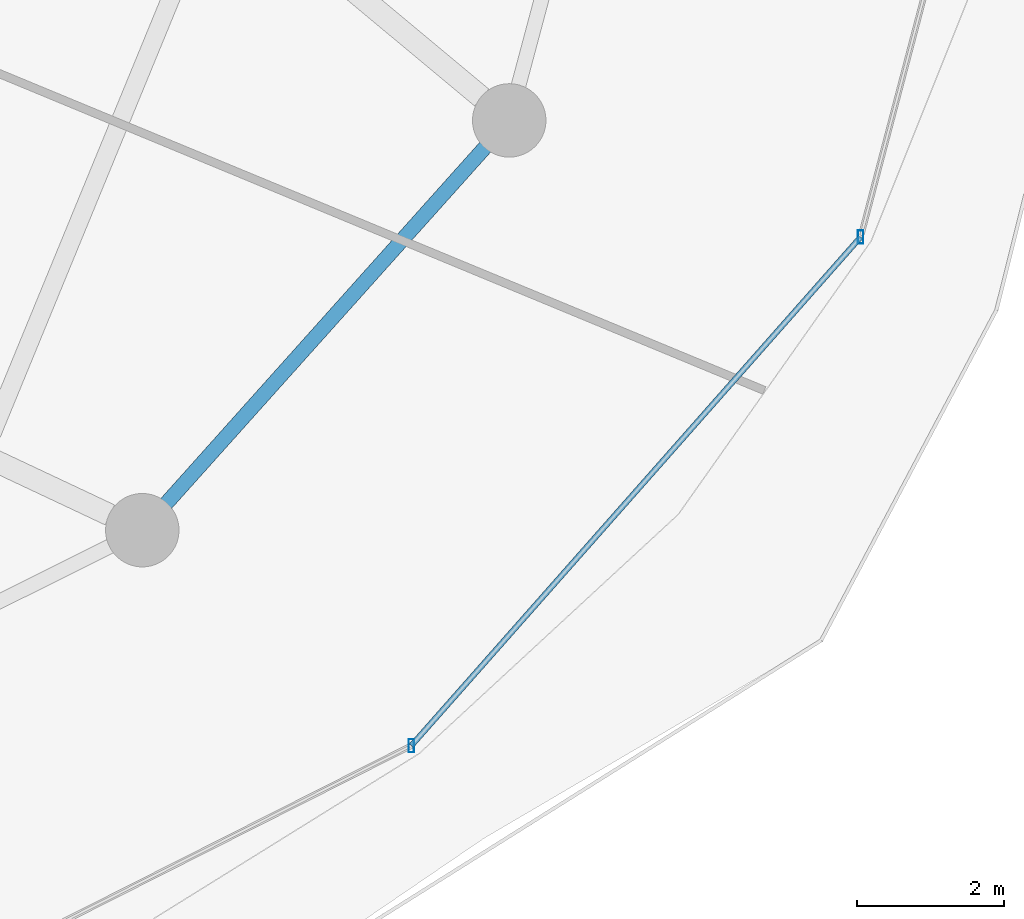
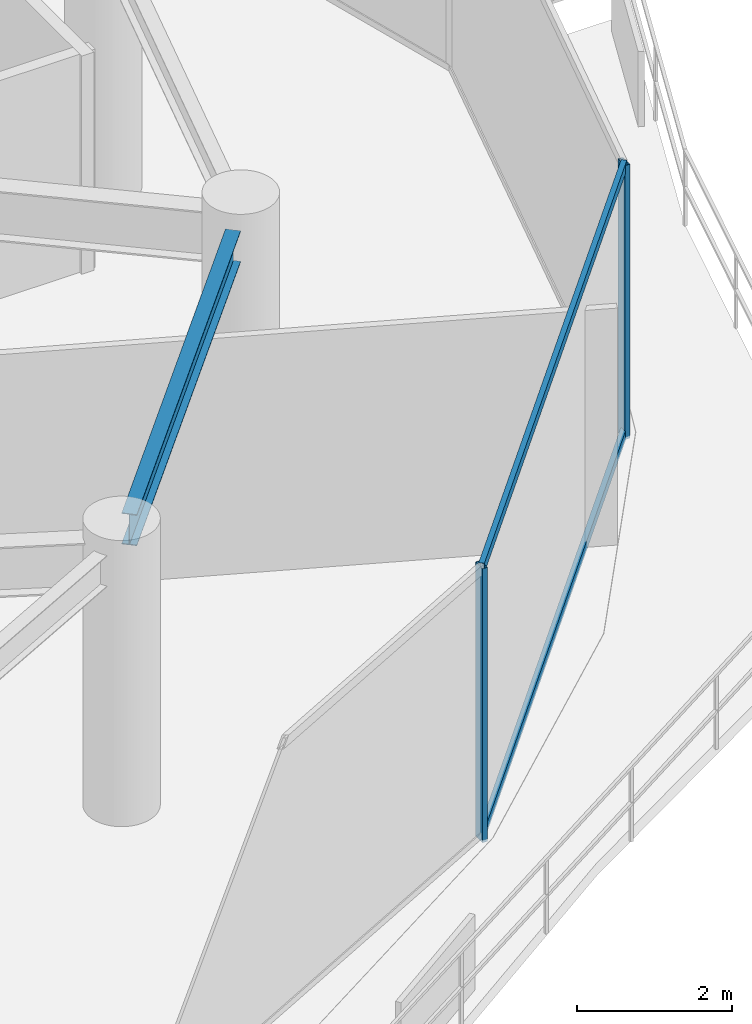
# One storey, part 13 of 31: 4 members, 1 beam, 1 element without a shape of its own.
"""IFC4 building model written with IfcOpenShell, lengths in metres."""

from ifc_helpers import new_model, si_unit, direction, frame, origin, origin_2d, place, context, subcontext, project, spatial, hollow_rectangle, i_section, extrude, material, material_profile, profile_set, type_object, element, aggregate, save


model = new_model("IFC4")

# Units and contexts
model_context = context("Model", 3, precision=1e-05, world=origin(), true_north=direction((0.0, 1.0)))
body_context = subcontext(model_context, "Body", "Model", "MODEL_VIEW")
ifc_project = project(units=[si_unit("LENGTHUNIT", "METRE"), si_unit("AREAUNIT", "SQUARE_METRE"), si_unit("VOLUMEUNIT", "CUBIC_METRE"), si_unit("PLANEANGLEUNIT", "RADIAN"), si_unit("MASSUNIT", "GRAM", prefix="KILO")], contexts=[model_context])

# Site, building, storey
site_placement = place(None, origin())
site = spatial("IfcSite", under=ifc_project, at=site_placement, CompositionType="ELEMENT")
building_placement = place(site_placement, origin())
building = spatial("IfcBuilding", under=site, at=building_placement, Name="Vorneva Point Tower", CompositionType="ELEMENT")
storey_placement = place(building_placement, frame((0.0, 0.0, 174.60009765625)))
storey = spatial("IfcBuildingStorey", under=building, at=storey_placement, Name="L47", CompositionType="ELEMENT", Elevation=174.60009765625)

# Beam
ifc_material_1 = material(Name="Steel S355", Category="steel")
ifc_material_profile_1 = material_profile(ifc_material_1, i_section(OverallWidth=0.199951171875, OverallDepth=0.491943359375, WebThickness=0.0087890625, FlangeThickness=0.011962890625, at=origin_2d()), Name="50B1")
ifc_profile_set_1 = profile_set([ifc_material_profile_1], Name="Steel S355")
beam_type = type_object("IfcBeamType", Name="BM-SPN-50B1", PredefinedType="SPANDREL", material=ifc_profile_set_1)
beam_placement = place(storey_placement, frame((54.622314453125, 14.19921875, 3.993896484375), z_axis=(0.667111118975, 0.74495822362, 0.0), x_axis=(-0.74495822362, 0.667111118975, 0.0)))
element("IfcBeam", 1, at=beam_placement, inside=storey, type_object=beam_type, Name="L47 Perimeter Spandrel Ring Beam 15", PredefinedType="SPANDREL", context=body_context, shape_type="SweptSolid", body=[
    extrude(i_section(OverallWidth=0.199951171875, OverallDepth=0.491943359375, WebThickness=0.0087890625, FlangeThickness=0.011962890625, at=origin_2d()), origin(), (0.0, 0.0, 1.0), 6.52001953125),
])

# Curtain wall, members
ifc_material_2 = material(Name="Pale anodised aluminium", Category="aluminium")
curtain_wall_type = type_object("IfcCurtainWallType", Name="CW-SKY-SYS", PredefinedType="NOTDEFINED", material=ifc_material_2)
curtain_wall_placement = place(storey_placement, origin())
curtain_wall = element("IfcCurtainWall", 2, at=curtain_wall_placement, inside=storey, type_object=curtain_wall_type, Name="L47 Unitised Curtain Wall CW-L47-R01", PredefinedType="NOTDEFINED")
ifc_material_profile_2 = material_profile(ifc_material_2, hollow_rectangle(XDim=0.074951171875, YDim=0.179931640625, WallThickness=0.00390625, at=origin_2d()), Name="AL-MUL 180x75x4")
ifc_profile_set_2 = profile_set([ifc_material_profile_2], Name="Pale anodised aluminium")
member_type_1 = type_object("IfcMemberType", Name="CW-MUL-180", PredefinedType="MULLION", material=ifc_profile_set_2)
member_1_placement = place(storey_placement, frame((57.961669921875, 10.9033203125, -0.0400390625), z_axis=(0.0, 0.0, 1.0), x_axis=(1.0, 0.0, 0.0)))
member_1 = element("IfcMember", 3, at=member_1_placement, type_object=member_type_1, Name="CW-L47-R01 Mullion 02", PredefinedType="MULLION", context=body_context, shape_type="SweptSolid", body=[
    extrude(hollow_rectangle(XDim=0.074951171875, YDim=0.179931640625, WallThickness=0.00390625, at=origin_2d()), origin(), (0.0, 0.0, 1.0), 4.31005859375),
])
member_2_placement = place(storey_placement, frame((64.0810546875, 17.82958984375, -0.0400390625), z_axis=(0.0, 0.0, 1.0), x_axis=(1.0, 0.0, 0.0)))
member_2 = element("IfcMember", 4, at=member_2_placement, type_object=member_type_1, Name="CW-L47-R01 Mullion 03", PredefinedType="MULLION", context=body_context, shape_type="SweptSolid", body=[
    extrude(hollow_rectangle(XDim=0.074951171875, YDim=0.179931640625, WallThickness=0.00390625, at=origin_2d()), origin(), (0.0, 0.0, 1.0), 4.31005859375),
])
ifc_material_profile_3 = material_profile(ifc_material_2, hollow_rectangle(XDim=0.074951171875, YDim=0.14990234375, WallThickness=0.00390625, at=origin_2d()), Name="AL-TRN 150x75x4")
ifc_profile_set_3 = profile_set([ifc_material_profile_3], Name="Pale anodised aluminium")
member_type_2 = type_object("IfcMemberType", Name="CW-TRN-150", PredefinedType="USERDEFINED", material=ifc_profile_set_3)
member_3_placement = place(storey_placement, frame((57.961669921875, 10.9033203125, 0.02001953125), z_axis=(0.662106383869, 0.749409858782, 0.0), x_axis=(-0.749409858782, 0.662106383869, 0.0)))
member_3 = element("IfcMember", 5, at=member_3_placement, type_object=member_type_2, Name="CW-L47-R01 Transom 02.1", ObjectType="TRANSOM", PredefinedType="USERDEFINED", context=body_context, shape_type="SweptSolid", body=[
    extrude(hollow_rectangle(XDim=0.074951171875, YDim=0.14990234375, WallThickness=0.00390625, at=origin_2d()), origin(), (0.0, 0.0, 1.0), 9.2421875),
])
member_4_placement = place(storey_placement, frame((57.961669921875, 10.9033203125, 4.219970703125), z_axis=(0.662106383869, 0.749409858782, 0.0), x_axis=(-0.749409858782, 0.662106383869, 0.0)))
member_4 = element("IfcMember", 6, at=member_4_placement, type_object=member_type_2, Name="CW-L47-R01 Transom 02.2", ObjectType="TRANSOM", PredefinedType="USERDEFINED", context=body_context, shape_type="SweptSolid", body=[
    extrude(hollow_rectangle(XDim=0.074951171875, YDim=0.14990234375, WallThickness=0.00390625, at=origin_2d()), origin(), (0.0, 0.0, 1.0), 9.2421875),
])
aggregate(curtain_wall, [member_1, member_2, member_3, member_4])

save(model, "model.ifc")
